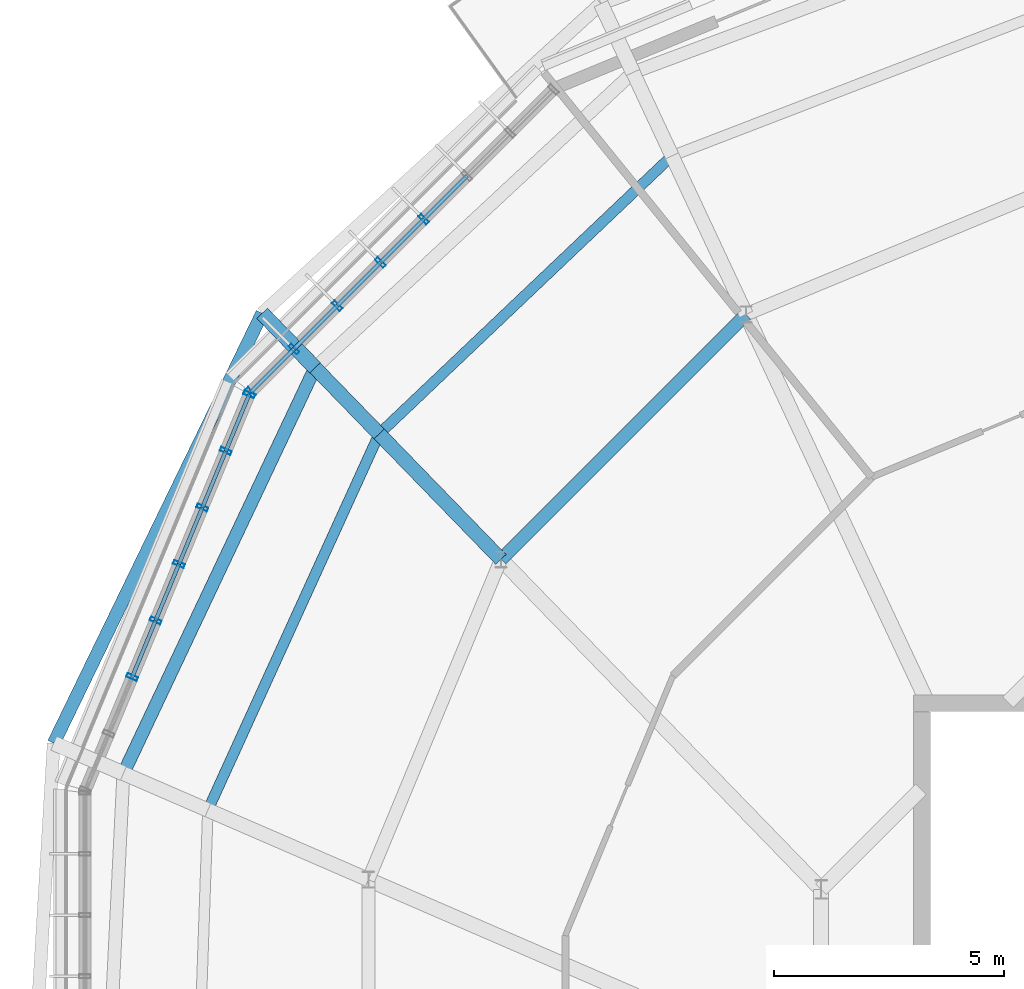
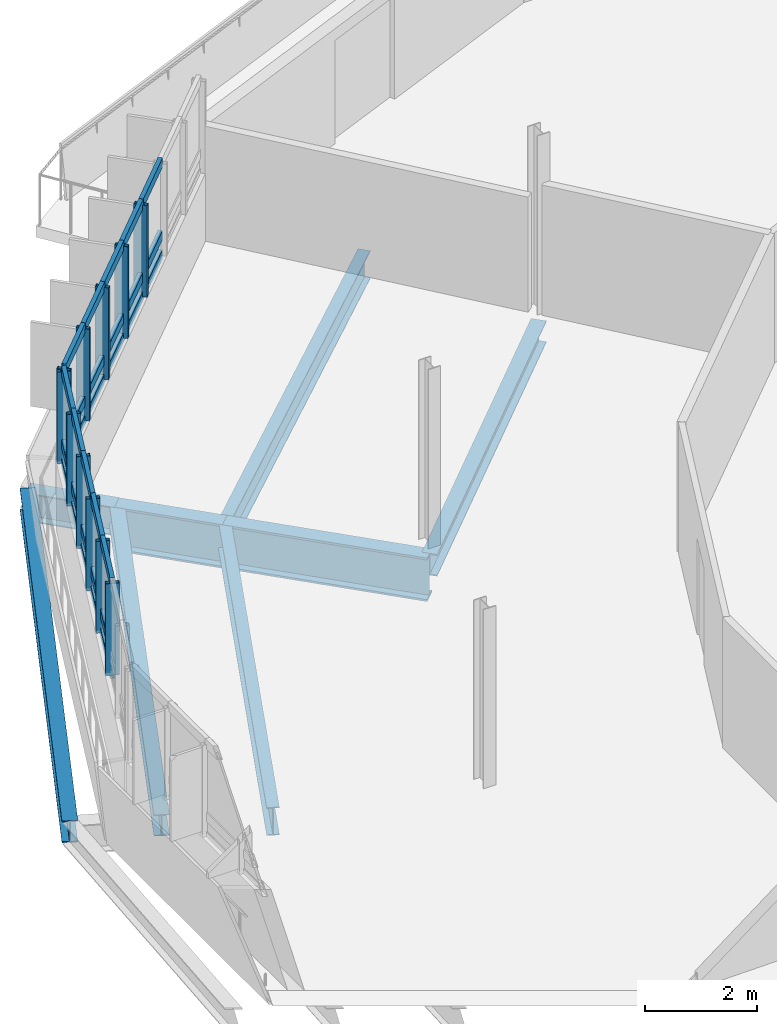
# One storey, part 16 of 31: 41 members, 8 beams, 2 elements without a shape of their own.
"""IFC4 building model written with IfcOpenShell, lengths in metres."""

from ifc_helpers import new_model, si_unit, derived_unit, direction, frame, origin, origin_2d, place, context, subcontext, project, spatial, hollow_rectangle, i_section, extrude, material, layer, layer_set, material_profile, profile_set, type_object, element, aggregate, save


model = new_model("IFC4")

# Units and contexts
model_context = context("Model", 3, precision=1e-05, world=origin(), true_north=direction((0.0, 1.0)))
body_context = subcontext(model_context, "Body", "Model", "MODEL_VIEW")
ifc_project = project(units=[si_unit("LENGTHUNIT", "METRE"), si_unit("AREAUNIT", "SQUARE_METRE"), si_unit("VOLUMEUNIT", "CUBIC_METRE"), si_unit("PLANEANGLEUNIT", "RADIAN"), si_unit("MASSUNIT", "GRAM", prefix="KILO"), derived_unit("THERMALTRANSMITTANCEUNIT", [(si_unit("MASSUNIT", "GRAM", prefix="KILO"), 1), (si_unit("TIMEUNIT", "SECOND"), -3), (si_unit("THERMODYNAMICTEMPERATUREUNIT", "KELVIN"), -1)])], contexts=[model_context])

# Site, building, storey
site_placement = place(None, origin())
site = spatial("IfcSite", under=ifc_project, at=site_placement, CompositionType="ELEMENT")
building_placement = place(site_placement, origin())
building = spatial("IfcBuilding", under=site, at=building_placement, Name="Makaiwela Harbour Ferry Terminal", CompositionType="ELEMENT")
storey_placement = place(building_placement, frame((0.0, 0.0, 21.60009765625)))
storey = spatial("IfcBuildingStorey", under=building, at=storey_placement, Name="L05", CompositionType="ELEMENT", Elevation=21.60009765625)

# Curtain wall, members
ifc_material_1 = material(Name="Marine anodised aluminium 6063-T6", Category="aluminium")
ifc_layer = layer(ifc_material_1, 0.199951171875)
ifc_layer_set = layer_set([ifc_layer], Name="Marine anodised aluminium 6063-T6")
curtain_wall_type = type_object("IfcCurtainWallType", Name="ENV-CW-07", PredefinedType="USERDEFINED", material=ifc_layer_set)
curtain_wall_1_placement = place(storey_placement, origin())
curtain_wall_1 = element("IfcCurtainWall", 1, at=curtain_wall_1_placement, inside=storey, type_object=curtain_wall_type, Name="Unitised Curtain Wall CWA-061", ObjectType="UNITIZED CURTAIN WALL", PredefinedType="USERDEFINED")
ifc_material_profile_1 = material_profile(ifc_material_1, hollow_rectangle(XDim=0.0849609375, YDim=0.25, WallThickness=0.0048828125, at=origin_2d()), Name="CWM-250X85")
ifc_profile_set_1 = profile_set([ifc_material_profile_1], Name="Marine anodised aluminium 6063-T6")
member_type_1 = type_object("IfcMemberType", Name="CW-MUL-250", PredefinedType="MULLION", material=ifc_profile_set_1)
member_1_placement = place(storey_placement, frame((19.37548828125, 86.21435546875, 1.47998046875), z_axis=(0.0, 0.0, 1.0), x_axis=(0.707106781187, 0.707106781187, 0.0)))
member_1 = element("IfcMember", 2, at=member_1_placement, type_object=member_type_1, Name="Curtain Wall Mullion CWA-061-4", PredefinedType="MULLION", context=body_context, shape_type="SweptSolid", body=[
    extrude(hollow_rectangle(XDim=0.0849609375, YDim=0.25, WallThickness=0.0048828125, at=origin_2d()), origin(), (0.0, 0.0, 1.0), 2.0),
])
member_2_placement = place(storey_placement, frame((18.435546875, 85.274658203125, 1.47998046875), z_axis=(0.0, 0.0, 1.0), x_axis=(0.707106781187, 0.707106781187, 0.0)))
member_2 = element("IfcMember", 3, at=member_2_placement, type_object=member_type_1, Name="Curtain Wall Mullion CWA-061-5", PredefinedType="MULLION", context=body_context, shape_type="SweptSolid", body=[
    extrude(hollow_rectangle(XDim=0.0849609375, YDim=0.25, WallThickness=0.0048828125, at=origin_2d()), origin(), (0.0, 0.0, 1.0), 2.0),
])
member_3_placement = place(storey_placement, frame((17.49560546875, 84.334716796875, 1.47998046875), z_axis=(0.0, 0.0, 1.0), x_axis=(0.707106781187, 0.707106781187, 0.0)))
member_3 = element("IfcMember", 4, at=member_3_placement, type_object=member_type_1, Name="Curtain Wall Mullion CWA-061-6", PredefinedType="MULLION", context=body_context, shape_type="SweptSolid", body=[
    extrude(hollow_rectangle(XDim=0.0849609375, YDim=0.25, WallThickness=0.0048828125, at=origin_2d()), origin(), (0.0, 0.0, 1.0), 2.0),
])
member_4_placement = place(storey_placement, frame((16.555908203125, 83.394775390625, 1.47998046875), z_axis=(0.0, 0.0, 1.0), x_axis=(0.707106781187, 0.707106781187, 0.0)))
member_4 = element("IfcMember", 5, at=member_4_placement, type_object=member_type_1, Name="Curtain Wall Mullion CWA-061-7", PredefinedType="MULLION", context=body_context, shape_type="SweptSolid", body=[
    extrude(hollow_rectangle(XDim=0.0849609375, YDim=0.25, WallThickness=0.0048828125, at=origin_2d()), origin(), (0.0, 0.0, 1.0), 2.0),
])
member_5_placement = place(storey_placement, frame((15.615966796875, 82.454833984375, 1.47998046875), z_axis=(0.0, 0.0, 1.0), x_axis=(0.707106781187, 0.707106781187, 0.0)))
member_5 = element("IfcMember", 6, at=member_5_placement, type_object=member_type_1, Name="Curtain Wall Mullion CWA-061-8", PredefinedType="MULLION", context=body_context, shape_type="SweptSolid", body=[
    extrude(hollow_rectangle(XDim=0.0849609375, YDim=0.25, WallThickness=0.0048828125, at=origin_2d()), origin(), (0.0, 0.0, 1.0), 2.0),
])

curtain_wall_2_placement = place(storey_placement, origin())
curtain_wall_2 = element("IfcCurtainWall", 7, at=curtain_wall_2_placement, inside=storey, type_object=curtain_wall_type, Name="Unitised Curtain Wall CWA-062", ObjectType="UNITIZED CURTAIN WALL", PredefinedType="USERDEFINED")
member_6_placement = place(storey_placement, frame((15.583251953125, 82.406005859375, 1.47998046875), z_axis=(0.0, 0.0, 1.0), x_axis=(0.382683432365, 0.923879532511, 0.0)))
member_6 = element("IfcMember", 8, at=member_6_placement, type_object=member_type_1, Name="Curtain Wall Mullion CWA-062-1", PredefinedType="MULLION", context=body_context, shape_type="SweptSolid", body=[
    extrude(hollow_rectangle(XDim=0.0849609375, YDim=0.25, WallThickness=0.0048828125, at=origin_2d()), origin(), (0.0, 0.0, 1.0), 2.0),
])
member_7_placement = place(storey_placement, frame((15.07470703125, 81.177978515625, 1.47998046875), z_axis=(0.0, 0.0, 1.0), x_axis=(0.382683432365, 0.923879532511, 0.0)))
member_7 = element("IfcMember", 9, at=member_7_placement, type_object=member_type_1, Name="Curtain Wall Mullion CWA-062-2", PredefinedType="MULLION", context=body_context, shape_type="SweptSolid", body=[
    extrude(hollow_rectangle(XDim=0.0849609375, YDim=0.25, WallThickness=0.0048828125, at=origin_2d()), origin(), (0.0, 0.0, 1.0), 2.0),
])
member_8_placement = place(storey_placement, frame((14.56591796875, 79.949951171875, 1.47998046875), z_axis=(0.0, 0.0, 1.0), x_axis=(0.382683432365, 0.923879532511, 0.0)))
member_8 = element("IfcMember", 10, at=member_8_placement, type_object=member_type_1, Name="Curtain Wall Mullion CWA-062-3", PredefinedType="MULLION", context=body_context, shape_type="SweptSolid", body=[
    extrude(hollow_rectangle(XDim=0.0849609375, YDim=0.25, WallThickness=0.0048828125, at=origin_2d()), origin(), (0.0, 0.0, 1.0), 2.0),
])
member_9_placement = place(storey_placement, frame((14.057373046875, 78.721923828125, 1.47998046875), z_axis=(0.0, 0.0, 1.0), x_axis=(0.382683432365, 0.923879532511, 0.0)))
member_9 = element("IfcMember", 11, at=member_9_placement, type_object=member_type_1, Name="Curtain Wall Mullion CWA-062-4", PredefinedType="MULLION", context=body_context, shape_type="SweptSolid", body=[
    extrude(hollow_rectangle(XDim=0.0849609375, YDim=0.25, WallThickness=0.0048828125, at=origin_2d()), origin(), (0.0, 0.0, 1.0), 2.0),
])
member_10_placement = place(storey_placement, frame((13.548583984375, 77.493896484375, 1.47998046875), z_axis=(0.0, 0.0, 1.0), x_axis=(0.382683432365, 0.923879532511, 0.0)))
member_10 = element("IfcMember", 12, at=member_10_placement, type_object=member_type_1, Name="Curtain Wall Mullion CWA-062-5", PredefinedType="MULLION", context=body_context, shape_type="SweptSolid", body=[
    extrude(hollow_rectangle(XDim=0.0849609375, YDim=0.25, WallThickness=0.0048828125, at=origin_2d()), origin(), (0.0, 0.0, 1.0), 2.0),
])
member_11_placement = place(storey_placement, frame((13.0400390625, 76.265869140625, 1.47998046875), z_axis=(0.0, 0.0, 1.0), x_axis=(0.382683432365, 0.923879532511, 0.0)))
member_11 = element("IfcMember", 13, at=member_11_placement, type_object=member_type_1, Name="Curtain Wall Mullion CWA-062-6", PredefinedType="MULLION", context=body_context, shape_type="SweptSolid", body=[
    extrude(hollow_rectangle(XDim=0.0849609375, YDim=0.25, WallThickness=0.0048828125, at=origin_2d()), origin(), (0.0, 0.0, 1.0), 2.0),
])

# Member
ifc_material_profile_2 = material_profile(ifc_material_1, hollow_rectangle(XDim=0.0849609375, YDim=0.199951171875, WallThickness=0.0048828125, at=origin_2d()), Name="CWT-200X85")
ifc_profile_set_2 = profile_set([ifc_material_profile_2], Name="Marine anodised aluminium 6063-T6")
member_type_2 = type_object("IfcMemberType", Name="CW-TRN-200", PredefinedType="USERDEFINED", material=ifc_profile_set_2)
member_12_placement = place(storey_placement, frame((20.315185546875, 87.154296875, 1.47998046875), z_axis=(-0.707014931245, -0.707198619198, 0.0), x_axis=(0.707198619198, -0.707014931245, 0.0)))
member_12 = element("IfcMember", 14, at=member_12_placement, type_object=member_type_2, Name="Curtain Wall Transom CWA-061-3-1", ObjectType="TRANSOM", PredefinedType="USERDEFINED", context=body_context, shape_type="SweptSolid", body=[
    extrude(hollow_rectangle(XDim=0.0849609375, YDim=0.199951171875, WallThickness=0.0048828125, at=origin_2d()), origin(), (0.0, 0.0, 1.0), 1.3291015625),
])

member_13_placement = place(storey_placement, frame((20.315185546875, 87.154296875, 1.89990234375), z_axis=(-0.707014931245, -0.707198619198, 0.0), x_axis=(0.707198619198, -0.707014931245, 0.0)))
member_13 = element("IfcMember", 15, at=member_13_placement, type_object=member_type_2, Name="Curtain Wall Transom CWA-061-3-2", ObjectType="TRANSOM", PredefinedType="USERDEFINED", context=body_context, shape_type="SweptSolid", body=[
    extrude(hollow_rectangle(XDim=0.0849609375, YDim=0.199951171875, WallThickness=0.0048828125, at=origin_2d()), origin(), (0.0, 0.0, 1.0), 1.3291015625),
])

member_14_placement = place(storey_placement, frame((20.315185546875, 87.154296875, 3.47998046875), z_axis=(-0.707014931245, -0.707198619198, 0.0), x_axis=(0.707198619198, -0.707014931245, 0.0)))
member_14 = element("IfcMember", 16, at=member_14_placement, type_object=member_type_2, Name="Curtain Wall Transom CWA-061-3-3", ObjectType="TRANSOM", PredefinedType="USERDEFINED", context=body_context, shape_type="SweptSolid", body=[
    extrude(hollow_rectangle(XDim=0.0849609375, YDim=0.199951171875, WallThickness=0.0048828125, at=origin_2d()), origin(), (0.0, 0.0, 1.0), 1.3291015625),
])

member_15_placement = place(storey_placement, frame((19.37548828125, 86.21435546875, 1.47998046875), z_axis=(-0.707198619198, -0.707014931245, 0.0), x_axis=(0.707014931245, -0.707198619198, 0.0)))
member_15 = element("IfcMember", 17, at=member_15_placement, type_object=member_type_2, Name="Curtain Wall Transom CWA-061-4-1", ObjectType="TRANSOM", PredefinedType="USERDEFINED", context=body_context, shape_type="SweptSolid", body=[
    extrude(hollow_rectangle(XDim=0.0849609375, YDim=0.199951171875, WallThickness=0.0048828125, at=origin_2d()), origin(), (0.0, 0.0, 1.0), 1.3291015625),
])

member_16_placement = place(storey_placement, frame((19.37548828125, 86.21435546875, 1.89990234375), z_axis=(-0.707198619198, -0.707014931245, 0.0), x_axis=(0.707014931245, -0.707198619198, 0.0)))
member_16 = element("IfcMember", 18, at=member_16_placement, type_object=member_type_2, Name="Curtain Wall Transom CWA-061-4-2", ObjectType="TRANSOM", PredefinedType="USERDEFINED", context=body_context, shape_type="SweptSolid", body=[
    extrude(hollow_rectangle(XDim=0.0849609375, YDim=0.199951171875, WallThickness=0.0048828125, at=origin_2d()), origin(), (0.0, 0.0, 1.0), 1.3291015625),
])

member_17_placement = place(storey_placement, frame((19.37548828125, 86.21435546875, 3.47998046875), z_axis=(-0.707198619198, -0.707014931245, 0.0), x_axis=(0.707014931245, -0.707198619198, 0.0)))
member_17 = element("IfcMember", 19, at=member_17_placement, type_object=member_type_2, Name="Curtain Wall Transom CWA-061-4-3", ObjectType="TRANSOM", PredefinedType="USERDEFINED", context=body_context, shape_type="SweptSolid", body=[
    extrude(hollow_rectangle(XDim=0.0849609375, YDim=0.199951171875, WallThickness=0.0048828125, at=origin_2d()), origin(), (0.0, 0.0, 1.0), 1.3291015625),
])

member_18_placement = place(storey_placement, frame((18.435546875, 85.274658203125, 1.47998046875), z_axis=(-0.707106781187, -0.707106781187, 0.0), x_axis=(0.707106781187, -0.707106781187, 0.0)))
member_18 = element("IfcMember", 20, at=member_18_placement, type_object=member_type_2, Name="Curtain Wall Transom CWA-061-5-1", ObjectType="TRANSOM", PredefinedType="USERDEFINED", context=body_context, shape_type="SweptSolid", body=[
    extrude(hollow_rectangle(XDim=0.0849609375, YDim=0.199951171875, WallThickness=0.0048828125, at=origin_2d()), origin(), (0.0, 0.0, 1.0), 1.329345703125),
])

member_19_placement = place(storey_placement, frame((18.435546875, 85.274658203125, 1.89990234375), z_axis=(-0.707106781187, -0.707106781187, 0.0), x_axis=(0.707106781187, -0.707106781187, 0.0)))
member_19 = element("IfcMember", 21, at=member_19_placement, type_object=member_type_2, Name="Curtain Wall Transom CWA-061-5-2", ObjectType="TRANSOM", PredefinedType="USERDEFINED", context=body_context, shape_type="SweptSolid", body=[
    extrude(hollow_rectangle(XDim=0.0849609375, YDim=0.199951171875, WallThickness=0.0048828125, at=origin_2d()), origin(), (0.0, 0.0, 1.0), 1.329345703125),
])

member_20_placement = place(storey_placement, frame((18.435546875, 85.274658203125, 3.47998046875), z_axis=(-0.707106781187, -0.707106781187, 0.0), x_axis=(0.707106781187, -0.707106781187, 0.0)))
member_20 = element("IfcMember", 22, at=member_20_placement, type_object=member_type_2, Name="Curtain Wall Transom CWA-061-5-3", ObjectType="TRANSOM", PredefinedType="USERDEFINED", context=body_context, shape_type="SweptSolid", body=[
    extrude(hollow_rectangle(XDim=0.0849609375, YDim=0.199951171875, WallThickness=0.0048828125, at=origin_2d()), origin(), (0.0, 0.0, 1.0), 1.329345703125),
])

member_21_placement = place(storey_placement, frame((17.49560546875, 84.334716796875, 1.47998046875), z_axis=(-0.707014931245, -0.707198619198, 0.0), x_axis=(0.707198619198, -0.707014931245, 0.0)))
member_21 = element("IfcMember", 23, at=member_21_placement, type_object=member_type_2, Name="Curtain Wall Transom CWA-061-6-1", ObjectType="TRANSOM", PredefinedType="USERDEFINED", context=body_context, shape_type="SweptSolid", body=[
    extrude(hollow_rectangle(XDim=0.0849609375, YDim=0.199951171875, WallThickness=0.0048828125, at=origin_2d()), origin(), (0.0, 0.0, 1.0), 1.3291015625),
])

member_22_placement = place(storey_placement, frame((17.49560546875, 84.334716796875, 1.89990234375), z_axis=(-0.707014931245, -0.707198619198, 0.0), x_axis=(0.707198619198, -0.707014931245, 0.0)))
member_22 = element("IfcMember", 24, at=member_22_placement, type_object=member_type_2, Name="Curtain Wall Transom CWA-061-6-2", ObjectType="TRANSOM", PredefinedType="USERDEFINED", context=body_context, shape_type="SweptSolid", body=[
    extrude(hollow_rectangle(XDim=0.0849609375, YDim=0.199951171875, WallThickness=0.0048828125, at=origin_2d()), origin(), (0.0, 0.0, 1.0), 1.3291015625),
])

member_23_placement = place(storey_placement, frame((17.49560546875, 84.334716796875, 3.47998046875), z_axis=(-0.707014931245, -0.707198619198, 0.0), x_axis=(0.707198619198, -0.707014931245, 0.0)))
member_23 = element("IfcMember", 25, at=member_23_placement, type_object=member_type_2, Name="Curtain Wall Transom CWA-061-6-3", ObjectType="TRANSOM", PredefinedType="USERDEFINED", context=body_context, shape_type="SweptSolid", body=[
    extrude(hollow_rectangle(XDim=0.0849609375, YDim=0.199951171875, WallThickness=0.0048828125, at=origin_2d()), origin(), (0.0, 0.0, 1.0), 1.3291015625),
])

member_24_placement = place(storey_placement, frame((16.555908203125, 83.394775390625, 1.47998046875), z_axis=(-0.707106781187, -0.707106781187, 0.0), x_axis=(0.707106781187, -0.707106781187, 0.0)))
member_24 = element("IfcMember", 26, at=member_24_placement, type_object=member_type_2, Name="Curtain Wall Transom CWA-061-7-1", ObjectType="TRANSOM", PredefinedType="USERDEFINED", context=body_context, shape_type="SweptSolid", body=[
    extrude(hollow_rectangle(XDim=0.0849609375, YDim=0.199951171875, WallThickness=0.0048828125, at=origin_2d()), origin(), (0.0, 0.0, 1.0), 1.329345703125),
])

member_25_placement = place(storey_placement, frame((16.555908203125, 83.394775390625, 1.89990234375), z_axis=(-0.707106781187, -0.707106781187, 0.0), x_axis=(0.707106781187, -0.707106781187, 0.0)))
member_25 = element("IfcMember", 27, at=member_25_placement, type_object=member_type_2, Name="Curtain Wall Transom CWA-061-7-2", ObjectType="TRANSOM", PredefinedType="USERDEFINED", context=body_context, shape_type="SweptSolid", body=[
    extrude(hollow_rectangle(XDim=0.0849609375, YDim=0.199951171875, WallThickness=0.0048828125, at=origin_2d()), origin(), (0.0, 0.0, 1.0), 1.329345703125),
])

member_26_placement = place(storey_placement, frame((16.555908203125, 83.394775390625, 3.47998046875), z_axis=(-0.707106781187, -0.707106781187, 0.0), x_axis=(0.707106781187, -0.707106781187, 0.0)))
member_26 = element("IfcMember", 28, at=member_26_placement, type_object=member_type_2, Name="Curtain Wall Transom CWA-061-7-3", ObjectType="TRANSOM", PredefinedType="USERDEFINED", context=body_context, shape_type="SweptSolid", body=[
    extrude(hollow_rectangle(XDim=0.0849609375, YDim=0.199951171875, WallThickness=0.0048828125, at=origin_2d()), origin(), (0.0, 0.0, 1.0), 1.329345703125),
])

aggregate(curtain_wall_1, [member_1, member_2, member_3, member_4, member_5, member_12, member_13, member_14, member_15, member_16, member_17, member_18, member_19, member_20, member_21, member_22, member_23, member_24, member_25, member_26])

member_27_placement = place(storey_placement, frame((15.583251953125, 82.406005859375, 1.47998046875), z_axis=(-0.382605946964, -0.923911624209, 0.0), x_axis=(0.923911624209, -0.382605946964, 0.0)))
member_27 = element("IfcMember", 29, at=member_27_placement, type_object=member_type_2, Name="Curtain Wall Transom CWA-062-1-1", ObjectType="TRANSOM", PredefinedType="USERDEFINED", context=body_context, shape_type="SweptSolid", body=[
    extrude(hollow_rectangle(XDim=0.0849609375, YDim=0.199951171875, WallThickness=0.0048828125, at=origin_2d()), origin(), (0.0, 0.0, 1.0), 1.3291015625),
])

member_28_placement = place(storey_placement, frame((15.583251953125, 82.406005859375, 1.89990234375), z_axis=(-0.382605946964, -0.923911624209, 0.0), x_axis=(0.923911624209, -0.382605946964, 0.0)))
member_28 = element("IfcMember", 30, at=member_28_placement, type_object=member_type_2, Name="Curtain Wall Transom CWA-062-1-2", ObjectType="TRANSOM", PredefinedType="USERDEFINED", context=body_context, shape_type="SweptSolid", body=[
    extrude(hollow_rectangle(XDim=0.0849609375, YDim=0.199951171875, WallThickness=0.0048828125, at=origin_2d()), origin(), (0.0, 0.0, 1.0), 1.3291015625),
])

member_29_placement = place(storey_placement, frame((15.583251953125, 82.406005859375, 3.47998046875), z_axis=(-0.382605946964, -0.923911624209, 0.0), x_axis=(0.923911624209, -0.382605946964, 0.0)))
member_29 = element("IfcMember", 31, at=member_29_placement, type_object=member_type_2, Name="Curtain Wall Transom CWA-062-1-3", ObjectType="TRANSOM", PredefinedType="USERDEFINED", context=body_context, shape_type="SweptSolid", body=[
    extrude(hollow_rectangle(XDim=0.0849609375, YDim=0.199951171875, WallThickness=0.0048828125, at=origin_2d()), origin(), (0.0, 0.0, 1.0), 1.3291015625),
])

member_30_placement = place(storey_placement, frame((15.07470703125, 81.177978515625, 1.47998046875), z_axis=(-0.382762722221, -0.923846685591, 0.0), x_axis=(0.923846685591, -0.382762722221, 0.0)))
member_30 = element("IfcMember", 32, at=member_30_placement, type_object=member_type_2, Name="Curtain Wall Transom CWA-062-2-1", ObjectType="TRANSOM", PredefinedType="USERDEFINED", context=body_context, shape_type="SweptSolid", body=[
    extrude(hollow_rectangle(XDim=0.0849609375, YDim=0.199951171875, WallThickness=0.0048828125, at=origin_2d()), origin(), (0.0, 0.0, 1.0), 1.329345703125),
])

member_31_placement = place(storey_placement, frame((15.07470703125, 81.177978515625, 1.89990234375), z_axis=(-0.382762722221, -0.923846685591, 0.0), x_axis=(0.923846685591, -0.382762722221, 0.0)))
member_31 = element("IfcMember", 33, at=member_31_placement, type_object=member_type_2, Name="Curtain Wall Transom CWA-062-2-2", ObjectType="TRANSOM", PredefinedType="USERDEFINED", context=body_context, shape_type="SweptSolid", body=[
    extrude(hollow_rectangle(XDim=0.0849609375, YDim=0.199951171875, WallThickness=0.0048828125, at=origin_2d()), origin(), (0.0, 0.0, 1.0), 1.329345703125),
])

member_32_placement = place(storey_placement, frame((15.07470703125, 81.177978515625, 3.47998046875), z_axis=(-0.382762722221, -0.923846685591, 0.0), x_axis=(0.923846685591, -0.382762722221, 0.0)))
member_32 = element("IfcMember", 34, at=member_32_placement, type_object=member_type_2, Name="Curtain Wall Transom CWA-062-2-3", ObjectType="TRANSOM", PredefinedType="USERDEFINED", context=body_context, shape_type="SweptSolid", body=[
    extrude(hollow_rectangle(XDim=0.0849609375, YDim=0.199951171875, WallThickness=0.0048828125, at=origin_2d()), origin(), (0.0, 0.0, 1.0), 1.329345703125),
])

member_33_placement = place(storey_placement, frame((14.56591796875, 79.949951171875, 1.47998046875), z_axis=(-0.382605946964, -0.923911624209, 0.0), x_axis=(0.923911624209, -0.382605946964, 0.0)))
member_33 = element("IfcMember", 35, at=member_33_placement, type_object=member_type_2, Name="Curtain Wall Transom CWA-062-3-1", ObjectType="TRANSOM", PredefinedType="USERDEFINED", context=body_context, shape_type="SweptSolid", body=[
    extrude(hollow_rectangle(XDim=0.0849609375, YDim=0.199951171875, WallThickness=0.0048828125, at=origin_2d()), origin(), (0.0, 0.0, 1.0), 1.3291015625),
])

member_34_placement = place(storey_placement, frame((14.56591796875, 79.949951171875, 1.89990234375), z_axis=(-0.382605946964, -0.923911624209, 0.0), x_axis=(0.923911624209, -0.382605946964, 0.0)))
member_34 = element("IfcMember", 36, at=member_34_placement, type_object=member_type_2, Name="Curtain Wall Transom CWA-062-3-2", ObjectType="TRANSOM", PredefinedType="USERDEFINED", context=body_context, shape_type="SweptSolid", body=[
    extrude(hollow_rectangle(XDim=0.0849609375, YDim=0.199951171875, WallThickness=0.0048828125, at=origin_2d()), origin(), (0.0, 0.0, 1.0), 1.3291015625),
])

member_35_placement = place(storey_placement, frame((14.56591796875, 79.949951171875, 3.47998046875), z_axis=(-0.382605946964, -0.923911624209, 0.0), x_axis=(0.923911624209, -0.382605946964, 0.0)))
member_35 = element("IfcMember", 37, at=member_35_placement, type_object=member_type_2, Name="Curtain Wall Transom CWA-062-3-3", ObjectType="TRANSOM", PredefinedType="USERDEFINED", context=body_context, shape_type="SweptSolid", body=[
    extrude(hollow_rectangle(XDim=0.0849609375, YDim=0.199951171875, WallThickness=0.0048828125, at=origin_2d()), origin(), (0.0, 0.0, 1.0), 1.3291015625),
])

member_36_placement = place(storey_placement, frame((14.057373046875, 78.721923828125, 1.47998046875), z_axis=(-0.382762722221, -0.923846685591, 0.0), x_axis=(0.923846685591, -0.382762722221, 0.0)))
member_36 = element("IfcMember", 38, at=member_36_placement, type_object=member_type_2, Name="Curtain Wall Transom CWA-062-4-1", ObjectType="TRANSOM", PredefinedType="USERDEFINED", context=body_context, shape_type="SweptSolid", body=[
    extrude(hollow_rectangle(XDim=0.0849609375, YDim=0.199951171875, WallThickness=0.0048828125, at=origin_2d()), origin(), (0.0, 0.0, 1.0), 1.329345703125),
])

member_37_placement = place(storey_placement, frame((14.057373046875, 78.721923828125, 1.89990234375), z_axis=(-0.382762722221, -0.923846685591, 0.0), x_axis=(0.923846685591, -0.382762722221, 0.0)))
member_37 = element("IfcMember", 39, at=member_37_placement, type_object=member_type_2, Name="Curtain Wall Transom CWA-062-4-2", ObjectType="TRANSOM", PredefinedType="USERDEFINED", context=body_context, shape_type="SweptSolid", body=[
    extrude(hollow_rectangle(XDim=0.0849609375, YDim=0.199951171875, WallThickness=0.0048828125, at=origin_2d()), origin(), (0.0, 0.0, 1.0), 1.329345703125),
])

member_38_placement = place(storey_placement, frame((14.057373046875, 78.721923828125, 3.47998046875), z_axis=(-0.382762722221, -0.923846685591, 0.0), x_axis=(0.923846685591, -0.382762722221, 0.0)))
member_38 = element("IfcMember", 40, at=member_38_placement, type_object=member_type_2, Name="Curtain Wall Transom CWA-062-4-3", ObjectType="TRANSOM", PredefinedType="USERDEFINED", context=body_context, shape_type="SweptSolid", body=[
    extrude(hollow_rectangle(XDim=0.0849609375, YDim=0.199951171875, WallThickness=0.0048828125, at=origin_2d()), origin(), (0.0, 0.0, 1.0), 1.329345703125),
])

member_39_placement = place(storey_placement, frame((13.548583984375, 77.493896484375, 1.47998046875), z_axis=(-0.382605946964, -0.923911624209, 0.0), x_axis=(0.923911624209, -0.382605946964, 0.0)))
member_39 = element("IfcMember", 41, at=member_39_placement, type_object=member_type_2, Name="Curtain Wall Transom CWA-062-5-1", ObjectType="TRANSOM", PredefinedType="USERDEFINED", context=body_context, shape_type="SweptSolid", body=[
    extrude(hollow_rectangle(XDim=0.0849609375, YDim=0.199951171875, WallThickness=0.0048828125, at=origin_2d()), origin(), (0.0, 0.0, 1.0), 1.3291015625),
])

member_40_placement = place(storey_placement, frame((13.548583984375, 77.493896484375, 1.89990234375), z_axis=(-0.382605946964, -0.923911624209, 0.0), x_axis=(0.923911624209, -0.382605946964, 0.0)))
member_40 = element("IfcMember", 42, at=member_40_placement, type_object=member_type_2, Name="Curtain Wall Transom CWA-062-5-2", ObjectType="TRANSOM", PredefinedType="USERDEFINED", context=body_context, shape_type="SweptSolid", body=[
    extrude(hollow_rectangle(XDim=0.0849609375, YDim=0.199951171875, WallThickness=0.0048828125, at=origin_2d()), origin(), (0.0, 0.0, 1.0), 1.3291015625),
])

member_41_placement = place(storey_placement, frame((13.548583984375, 77.493896484375, 3.47998046875), z_axis=(-0.382605946964, -0.923911624209, 0.0), x_axis=(0.923911624209, -0.382605946964, 0.0)))
member_41 = element("IfcMember", 43, at=member_41_placement, type_object=member_type_2, Name="Curtain Wall Transom CWA-062-5-3", ObjectType="TRANSOM", PredefinedType="USERDEFINED", context=body_context, shape_type="SweptSolid", body=[
    extrude(hollow_rectangle(XDim=0.0849609375, YDim=0.199951171875, WallThickness=0.0048828125, at=origin_2d()), origin(), (0.0, 0.0, 1.0), 1.3291015625),
])

aggregate(curtain_wall_2, [member_6, member_7, member_8, member_9, member_10, member_11, member_27, member_28, member_29, member_30, member_31, member_32, member_33, member_34, member_35, member_36, member_37, member_38, member_39, member_40, member_41])

# Beams
ifc_material_2 = material(Name="Steel ASTM A992 Grade 50", Category="steel")
ifc_material_profile_3 = material_profile(ifc_material_2, i_section(OverallWidth=0.280029296875, OverallDepth=0.462890625, WebThickness=0.0107421875, FlangeThickness=0.017333984375, at=origin_2d()), Name="W18X76")
ifc_profile_set_3 = profile_set([ifc_material_profile_3], Name="Steel ASTM A992 Grade 50")
beam_type_1 = type_object("IfcBeamType", Name="STR-BM-W18X76", PredefinedType="BEAM", material=ifc_profile_set_3)
beam_1_placement = place(storey_placement, frame((17.013427734375, 82.98486328125, -0.481689453125), z_axis=(-0.427213957475, -0.904150559663, 0.0), x_axis=(0.904150559663, -0.427213957475, 0.0)))
element("IfcBeam", 44, at=beam_1_placement, inside=storey, type_object=beam_type_1, Name="Drum stage2 tie girder 590", PredefinedType="BEAM", context=body_context, shape_type="SweptSolid", body=[
    extrude(i_section(OverallWidth=0.280029296875, OverallDepth=0.462890625, WebThickness=0.0107421875, FlangeThickness=0.017333984375, at=origin_2d()), origin(), (0.0, 0.0, 1.0), 9.746337890625),
])
ifc_material_profile_4 = material_profile(ifc_material_2, i_section(OverallWidth=0.324951171875, OverallDepth=0.615966796875, WebThickness=0.013916015625, FlangeThickness=0.021484375, at=origin_2d()), Name="W24X117")
ifc_profile_set_4 = profile_set([ifc_material_profile_4], Name="Steel ASTM A992 Grade 50")
beam_type_2 = type_object("IfcBeamType", Name="STR-GRD-W24X117", PredefinedType="USERDEFINED", material=ifc_profile_set_4)
beam_2_placement = place(storey_placement, frame((17.013427734375, 82.98486328125, -0.55810546875), z_axis=(-0.696448486815, 0.717606790111, 0.0), x_axis=(-0.717606790111, -0.696448486815, 0.0)))
element("IfcBeam", 45, at=beam_2_placement, inside=storey, type_object=beam_type_2, Name="Promenade terrace bracket 548", ObjectType="GIRDER", PredefinedType="USERDEFINED", context=body_context, shape_type="SweptSolid", body=[
    extrude(i_section(OverallWidth=0.324951171875, OverallDepth=0.615966796875, WebThickness=0.013916015625, FlangeThickness=0.021484375, at=origin_2d()), origin(), (0.0, 0.0, 1.0), 1.650146484375),
])
ifc_material_profile_5 = material_profile(ifc_material_2, i_section(OverallWidth=0.22900390625, OverallDepth=0.612060546875, WebThickness=0.011962890625, FlangeThickness=0.01953125, at=origin_2d()), Name="W24X84")
ifc_profile_set_5 = profile_set([ifc_material_profile_5], Name="Steel ASTM A992 Grade 50")
beam_type_3 = type_object("IfcBeamType", Name="STR-GRD-W24X84", PredefinedType="USERDEFINED", material=ifc_profile_set_5)
beam_3_placement = place(storey_placement, frame((24.768310546875, 87.58984375, -0.55615234375), z_axis=(-0.725208541856, -0.688529281018, 0.0), x_axis=(0.688529281018, -0.725208541856, 0.0)))
element("IfcBeam", 46, at=beam_3_placement, inside=storey, type_object=beam_type_3, Name="Drum overhang tie girder 587", ObjectType="GIRDER", PredefinedType="USERDEFINED", context=body_context, shape_type="SweptSolid", body=[
    extrude(i_section(OverallWidth=0.22900390625, OverallDepth=0.612060546875, WebThickness=0.011962890625, FlangeThickness=0.01953125, at=origin_2d()), origin(), (0.0, 0.0, 1.0), 8.772705078125),
])
beam_4_placement = place(storey_placement, frame((18.40625, 81.549560546875, -0.55615234375), z_axis=(-0.41443577564, -0.910078561372, 0.0), x_axis=(0.910078561372, -0.41443577564, 0.0)))
element("IfcBeam", 47, at=beam_4_placement, inside=storey, type_object=beam_type_3, Name="Drum overhang tie girder 589", ObjectType="GIRDER", PredefinedType="USERDEFINED", context=body_context, shape_type="SweptSolid", body=[
    extrude(i_section(OverallWidth=0.22900390625, OverallDepth=0.612060546875, WebThickness=0.011962890625, FlangeThickness=0.01953125, at=origin_2d()), origin(), (0.0, 0.0, 1.0), 8.980224609375),
])
ifc_material_profile_6 = material_profile(ifc_material_2, i_section(OverallWidth=0.31005859375, OverallDepth=0.949951171875, WebThickness=0.0244140625, FlangeThickness=0.0439453125, at=origin_2d()), Name="W36X256")
ifc_profile_set_6 = profile_set([ifc_material_profile_6], Name="Steel ASTM A992 Grade 50")
beam_type_4 = type_object("IfcBeamType", Name="STR-GRD-W36X256", PredefinedType="USERDEFINED", material=ifc_profile_set_6)
beam_5_placement = place(storey_placement, frame((21.052490234375, 78.822509765625, -0.72509765625), z_axis=(-0.696393637769, 0.717660017888, 0.0), x_axis=(-0.717660017888, -0.696393637769, 0.0)))
element("IfcBeam", 48, at=beam_5_placement, inside=storey, type_object=beam_type_4, Name="Drum radial overhang 546", ObjectType="GIRDER", PredefinedType="USERDEFINED", context=body_context, shape_type="SweptSolid", body=[
    extrude(i_section(OverallWidth=0.31005859375, OverallDepth=0.949951171875, WebThickness=0.0244140625, FlangeThickness=0.0439453125, at=origin_2d()), origin(), (0.0, 0.0, 1.0), 3.7998046875),
])
beam_6_placement = place(storey_placement, frame((18.40625, 81.549560546875, -0.72509765625), z_axis=(-0.696406971539, 0.717647078997, 0.0), x_axis=(-0.717647078997, -0.696406971539, 0.0)))
element("IfcBeam", 49, at=beam_6_placement, inside=storey, type_object=beam_type_4, Name="Drum overhang radial girder 547", ObjectType="GIRDER", PredefinedType="USERDEFINED", context=body_context, shape_type="SweptSolid", body=[
    extrude(i_section(OverallWidth=0.31005859375, OverallDepth=0.949951171875, WebThickness=0.0244140625, FlangeThickness=0.0439453125, at=origin_2d()), origin(), (0.0, 0.0, 1.0), 2.0),
])
ifc_material_profile_7 = material_profile(ifc_material_2, i_section(OverallWidth=0.283935546875, OverallDepth=0.47607421875, WebThickness=0.014892578125, FlangeThickness=0.02392578125, at=origin_2d()), Name="W18X106")
ifc_profile_set_7 = profile_set([ifc_material_profile_7], Name="Steel ASTM A992 Grade 50")
beam_type_5 = type_object("IfcBeamType", Name="STR-SPN-W18X106", PredefinedType="SPANDREL", material=ifc_profile_set_7)
beam_7_placement = place(storey_placement, frame((26.37744140625, 84.1474609375, -0.488037109375), z_axis=(-0.707106781187, -0.707106781187, 0.0), x_axis=(0.707106781187, -0.707106781187, 0.0)))
element("IfcBeam", 50, at=beam_7_placement, inside=storey, type_object=beam_type_5, Name="Drum column ring girder 512", PredefinedType="SPANDREL", context=body_context, shape_type="SweptSolid", body=[
    extrude(i_section(OverallWidth=0.283935546875, OverallDepth=0.47607421875, WebThickness=0.014892578125, FlangeThickness=0.02392578125, at=origin_2d()), origin(), (0.0, 0.0, 1.0), 7.530517578125),
])
beam_8_placement = place(storey_placement, frame((15.8642578125, 84.1689453125, -0.488037109375), z_axis=(-0.436285625328, -0.899808231309, 0.0), x_axis=(0.899808231309, -0.436285625328, 0.0)))
element("IfcBeam", 51, at=beam_8_placement, inside=storey, type_object=beam_type_5, Name="Drum perimeter spandrel 608", PredefinedType="SPANDREL", context=body_context, shape_type="SweptSolid", body=[
    extrude(i_section(OverallWidth=0.283935546875, OverallDepth=0.47607421875, WebThickness=0.014892578125, FlangeThickness=0.02392578125, at=origin_2d()), origin(), (0.0, 0.0, 1.0), 10.3798828125),
])

save(model, "model.ifc")
